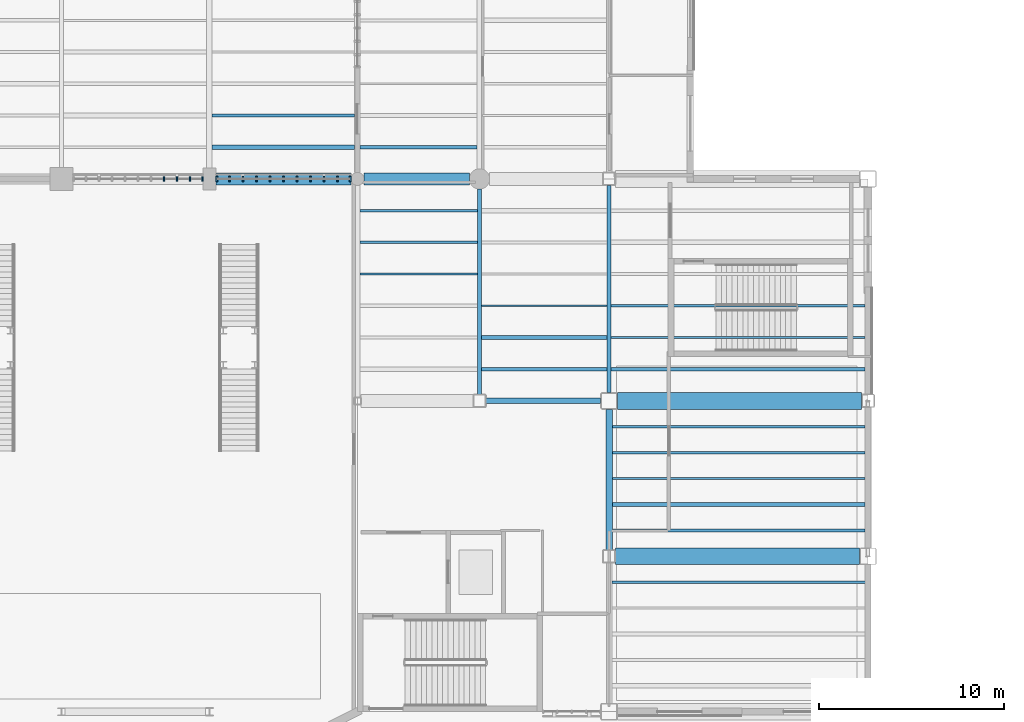
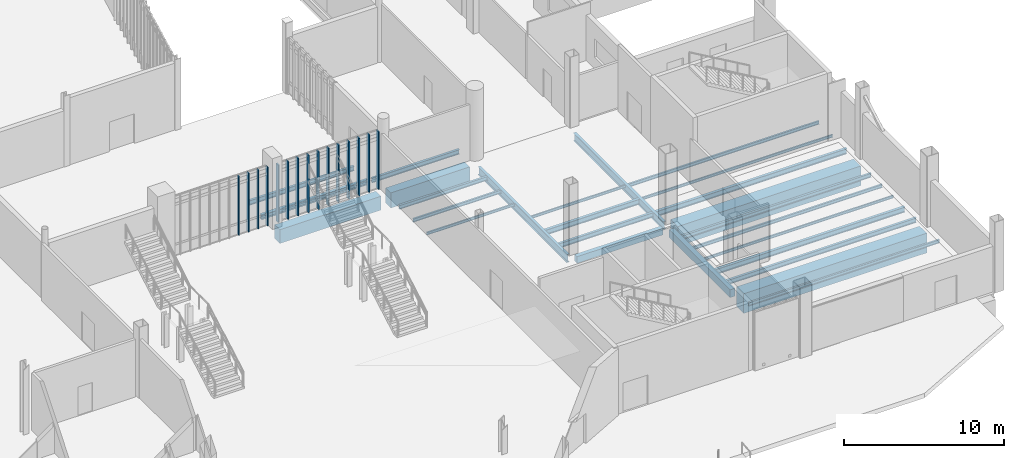
# One storey, part 22 of 111: 26 beams, 15 members, 2 elements without a shape of their own.
"""IFC4 building model written with IfcOpenShell, lengths in metres."""

from ifc_helpers import new_model, si_unit, direction, frame, origin, origin_2d, place, context, subcontext, project, spatial, rectangle, i_section, extrude, material, material_profile, profile_set, type_object, element, aggregate, save


model = new_model("IFC4")

# Units and contexts
model_context = context("Model", 3, precision=1e-05, world=origin(), true_north=direction((0.0, 1.0)))
body_context = subcontext(model_context, "Body", "Model", "MODEL_VIEW")
ifc_project = project(units=[si_unit("LENGTHUNIT", "METRE"), si_unit("AREAUNIT", "SQUARE_METRE"), si_unit("VOLUMEUNIT", "CUBIC_METRE"), si_unit("PLANEANGLEUNIT", "RADIAN"), si_unit("MASSUNIT", "GRAM", prefix="KILO")], contexts=[model_context])

# Site, building, storey
site_placement = place(None, origin())
site = spatial("IfcSite", under=ifc_project, at=site_placement, CompositionType="ELEMENT")
building_placement = place(site_placement, origin())
building = spatial("IfcBuilding", under=site, at=building_placement, Name="Larkvane Passage Sports Hall", CompositionType="ELEMENT")
storey_placement = place(building_placement, origin())
storey = spatial("IfcBuildingStorey", under=building, at=storey_placement, Name="L00", CompositionType="ELEMENT", Elevation=0.0)

# Beams
ifc_material_1 = material(Name="Concrete C40/50", Category="concrete")
ifc_material_profile_1 = material_profile(ifc_material_1, rectangle(XDim=0.300048828125, YDim=0.5, at=origin_2d()), Name="RC-BM-300x500")
ifc_profile_set_1 = profile_set([ifc_material_profile_1], Name="Concrete C40/50")
beam_type_1 = type_object("IfcBeamType", Name="BM-RC-300x500", PredefinedType="BEAM", material=ifc_profile_set_1)
beam_1_placement = place(storey_placement, frame((124.949951171875, 39.60009765625, -0.669921875), z_axis=(1.0, 0.0, 0.0), x_axis=(0.0, 1.0, 0.0)))
element("IfcBeam", 1, at=beam_1_placement, inside=storey, type_object=beam_type_1, Name="Girder BM5-X-L00-F-0027", PredefinedType="BEAM", context=body_context, shape_type="SweptSolid", body=[
    extrude(rectangle(XDim=0.300048828125, YDim=0.5, at=origin_2d()), origin(), (0.0, 0.0, 1.0), 6.199951171875),
])
ifc_material_profile_2 = material_profile(ifc_material_1, rectangle(XDim=0.35009765625, YDim=0.60009765625, at=origin_2d()), Name="RC-BM-350x600")
ifc_profile_set_2 = profile_set([ifc_material_profile_2], Name="Concrete C40/50")
beam_type_2 = type_object("IfcBeamType", Name="BM-RC-350x600", PredefinedType="BEAM", material=ifc_profile_set_2)
beam_2_placement = place(storey_placement, frame((131.60009765625, 31.550048828125, -0.719970703125), z_axis=(0.0, 1.0, 0.0), x_axis=(-1.0, 0.0, 0.0)))
element("IfcBeam", 2, at=beam_2_placement, inside=storey, type_object=beam_type_2, Name="Girder BM5-Y-L00-18-0132", PredefinedType="BEAM", context=body_context, shape_type="SweptSolid", body=[
    extrude(rectangle(XDim=0.35009765625, YDim=0.60009765625, at=origin_2d()), origin(), (0.0, 0.0, 1.0), 7.599853515625),
])
ifc_material_2 = material(Name="Concrete C50/60", Category="concrete")
ifc_material_profile_3 = material_profile(ifc_material_2, rectangle(XDim=0.64990234375, YDim=1.14990234375, at=origin_2d()), Name="RC-BM-650x1150")
ifc_profile_set_3 = profile_set([ifc_material_profile_3], Name="Concrete C50/60")
beam_type_3 = type_object("IfcBeamType", Name="BM-RC-650x1150", PredefinedType="BEAM", material=ifc_profile_set_3)
beam_3_placement = place(storey_placement, frame((118.35009765625, 51.60009765625, -0.9951171875), z_axis=(1.0, 0.0, 0.0), x_axis=(0.0, 1.0, 0.0)))
element("IfcBeam", 3, at=beam_3_placement, inside=storey, type_object=beam_type_3, Name="Girder BM5-X-L00-G-0038", PredefinedType="BEAM", context=body_context, shape_type="SweptSolid", body=[
    extrude(rectangle(XDim=0.64990234375, YDim=1.14990234375, at=origin_2d()), origin(), (0.0, 0.0, 1.0), 5.699951171875),
])
ifc_material_3 = material(Name="Steel S355JR", Category="steel")
ifc_material_profile_4 = material_profile(ifc_material_3, i_section(OverallWidth=0.199951171875, OverallDepth=0.60009765625, WebThickness=0.010986328125, FlangeThickness=0.01708984375, FilletRadius=0.01806640625, at=origin_2d()), Name="H-600x200x11x17")
ifc_profile_set_4 = profile_set([ifc_material_profile_4], Name="Steel S355JR")
beam_type_4 = type_object("IfcBeamType", Name="BM-STL-H600", PredefinedType="BEAM", material=ifc_profile_set_4)
beam_4_placement = place(storey_placement, frame((124.60009765625, 39.949951171875, -0.719970703125), z_axis=(0.0, 1.0, 0.0), x_axis=(-1.0, 0.0, 0.0)))
element("IfcBeam", 4, at=beam_4_placement, inside=storey, type_object=beam_type_4, Name="Girder BM5-Y-L00-17-0125", PredefinedType="BEAM", context=body_context, shape_type="SweptSolid", body=[
    extrude(i_section(OverallWidth=0.199951171875, OverallDepth=0.60009765625, WebThickness=0.010986328125, FlangeThickness=0.01708984375, FilletRadius=0.01806640625, at=origin_2d()), origin(), (0.0, 0.0, 1.0), 11.10009765625),
])
beam_5_placement = place(storey_placement, frame((131.60009765625, 40.050048828125, -0.719970703125), z_axis=(0.0, 1.0, 0.0), x_axis=(-1.0, 0.0, 0.0)))
element("IfcBeam", 5, at=beam_5_placement, inside=storey, type_object=beam_type_4, Name="Girder BM5-Y-L00-18-0133", PredefinedType="BEAM", context=body_context, shape_type="SweptSolid", body=[
    extrude(i_section(OverallWidth=0.199951171875, OverallDepth=0.60009765625, WebThickness=0.010986328125, FlangeThickness=0.01708984375, FilletRadius=0.01806640625, at=origin_2d()), origin(), (0.0, 0.0, 1.0), 11.199951171875),
])

# Curtain wall, members
ifc_material_4 = material(Name="Thermally broken aluminium and low-E glazing", Category="aluminium")
curtain_wall_type_1 = type_object("IfcCurtainWallType", Name="CW-UNIT-VEIL", PredefinedType="USERDEFINED", material=ifc_material_4)
curtain_wall_1_placement = place(storey_placement, origin())
curtain_wall_1 = element("IfcCurtainWall", 6, at=curtain_wall_1_placement, inside=storey, type_object=curtain_wall_type_1, Name="Curtain wall CW5-L00-017", ObjectType="UNITISED CURTAIN WALL", PredefinedType="USERDEFINED")
ifc_material_5 = material(Name="Anodised aluminium 6063-T6", Category="aluminium")
ifc_material_profile_5 = material_profile(ifc_material_5, rectangle(XDim=0.074951171875, YDim=0.22509765625, at=origin_2d()), Name="ALU-MUL-75x225")
ifc_profile_set_5 = profile_set([ifc_material_profile_5], Name="Anodised aluminium 6063-T6")
member_type_1 = type_object("IfcMemberType", Name="CW-MUL-75x225", PredefinedType="MULLION", material=ifc_profile_set_5)
member_1_placement = place(storey_placement, frame((107.544189453125, 51.60009765625, 0.0), z_axis=(0.0, 0.0, 1.0), x_axis=(1.0, 0.0, 0.0)))
member_1 = element("IfcMember", 7, at=member_1_placement, type_object=member_type_1, Name="CW-02 mullion 8", PredefinedType="MULLION", context=body_context, shape_type="SweptSolid", body=[
    extrude(rectangle(XDim=0.074951171875, YDim=0.22509765625, at=origin_2d()), origin(), (0.0, 0.0, 1.0), 4.47998046875),
])
member_2_placement = place(storey_placement, frame((108.247314453125, 51.60009765625, 0.0), z_axis=(0.0, 0.0, 1.0), x_axis=(1.0, 0.0, 0.0)))
member_2 = element("IfcMember", 8, at=member_2_placement, type_object=member_type_1, Name="CW-02 mullion 9", PredefinedType="MULLION", context=body_context, shape_type="SweptSolid", body=[
    extrude(rectangle(XDim=0.074951171875, YDim=0.22509765625, at=origin_2d()), origin(), (0.0, 0.0, 1.0), 4.47998046875),
])
member_3_placement = place(storey_placement, frame((108.95068359375, 51.60009765625, 0.0), z_axis=(0.0, 0.0, 1.0), x_axis=(1.0, 0.0, 0.0)))
member_3 = element("IfcMember", 9, at=member_3_placement, type_object=member_type_1, Name="CW-02 mullion 10", PredefinedType="MULLION", context=body_context, shape_type="SweptSolid", body=[
    extrude(rectangle(XDim=0.074951171875, YDim=0.22509765625, at=origin_2d()), origin(), (0.0, 0.0, 1.0), 4.47998046875),
])
member_4_placement = place(storey_placement, frame((109.616455078125, 51.60009765625, 0.0), z_axis=(0.0, 0.0, 1.0), x_axis=(1.0, 0.0, 0.0)))
member_4 = element("IfcMember", 10, at=member_4_placement, type_object=member_type_1, Name="CW-02 mullion 11", PredefinedType="MULLION", context=body_context, shape_type="SweptSolid", body=[
    extrude(rectangle(XDim=0.074951171875, YDim=0.22509765625, at=origin_2d()), origin(), (0.0, 0.0, 1.0), 4.47998046875),
])
aggregate(curtain_wall_1, [member_1, member_2, member_3, member_4])

curtain_wall_type_2 = type_object("IfcCurtainWallType", Name="CW-STICK-FOYER", PredefinedType="USERDEFINED", material=ifc_material_4)
curtain_wall_2_placement = place(storey_placement, origin())
curtain_wall_2 = element("IfcCurtainWall", 11, at=curtain_wall_2_placement, inside=storey, type_object=curtain_wall_type_2, Name="Curtain wall CW5-L00-018", ObjectType="STICK CURTAIN WALL", PredefinedType="USERDEFINED")
ifc_material_profile_6 = material_profile(ifc_material_5, rectangle(XDim=0.090087890625, YDim=0.280029296875, at=origin_2d()), Name="ALU-MUL-90x280")
ifc_profile_set_6 = profile_set([ifc_material_profile_6], Name="Anodised aluminium 6063-T6")
member_type_2 = type_object("IfcMemberType", Name="CW-MUL-90x280", PredefinedType="MULLION", material=ifc_profile_set_6)
member_5_placement = place(storey_placement, frame((110.39111328125, 51.60009765625, 0.0), z_axis=(0.0, 0.0, 1.0), x_axis=(1.0, 0.0, 0.0)))
member_5 = element("IfcMember", 12, at=member_5_placement, type_object=member_type_2, Name="CW-03 mullion 1", PredefinedType="MULLION", context=body_context, shape_type="SweptSolid", body=[
    extrude(rectangle(XDim=0.090087890625, YDim=0.280029296875, at=origin_2d()), origin(), (0.0, 0.0, 1.0), 4.385986328125),
])
member_6_placement = place(storey_placement, frame((111.076904296875, 51.60009765625, 0.0), z_axis=(0.0, 0.0, 1.0), x_axis=(1.0, 0.0, 0.0)))
member_6 = element("IfcMember", 13, at=member_6_placement, type_object=member_type_2, Name="CW-03 mullion 2", PredefinedType="MULLION", context=body_context, shape_type="SweptSolid", body=[
    extrude(rectangle(XDim=0.090087890625, YDim=0.280029296875, at=origin_2d()), origin(), (0.0, 0.0, 1.0), 4.385986328125),
])
member_7_placement = place(storey_placement, frame((111.8076171875, 51.60009765625, 0.0), z_axis=(0.0, 0.0, 1.0), x_axis=(1.0, 0.0, 0.0)))
member_7 = element("IfcMember", 14, at=member_7_placement, type_object=member_type_2, Name="CW-03 mullion 3", PredefinedType="MULLION", context=body_context, shape_type="SweptSolid", body=[
    extrude(rectangle(XDim=0.090087890625, YDim=0.280029296875, at=origin_2d()), origin(), (0.0, 0.0, 1.0), 4.385986328125),
])
member_8_placement = place(storey_placement, frame((112.538330078125, 51.60009765625, 0.0), z_axis=(0.0, 0.0, 1.0), x_axis=(1.0, 0.0, 0.0)))
member_8 = element("IfcMember", 15, at=member_8_placement, type_object=member_type_2, Name="CW-03 mullion 4", PredefinedType="MULLION", context=body_context, shape_type="SweptSolid", body=[
    extrude(rectangle(XDim=0.090087890625, YDim=0.280029296875, at=origin_2d()), origin(), (0.0, 0.0, 1.0), 4.385986328125),
])
member_9_placement = place(storey_placement, frame((113.269287109375, 51.60009765625, 0.0), z_axis=(0.0, 0.0, 1.0), x_axis=(1.0, 0.0, 0.0)))
member_9 = element("IfcMember", 16, at=member_9_placement, type_object=member_type_2, Name="CW-03 mullion 5", PredefinedType="MULLION", context=body_context, shape_type="SweptSolid", body=[
    extrude(rectangle(XDim=0.090087890625, YDim=0.280029296875, at=origin_2d()), origin(), (0.0, 0.0, 1.0), 4.385986328125),
])
member_10_placement = place(storey_placement, frame((114.0, 51.60009765625, 0.0), z_axis=(0.0, 0.0, 1.0), x_axis=(1.0, 0.0, 0.0)))
member_10 = element("IfcMember", 17, at=member_10_placement, type_object=member_type_2, Name="CW-03 mullion 6", PredefinedType="MULLION", context=body_context, shape_type="SweptSolid", body=[
    extrude(rectangle(XDim=0.090087890625, YDim=0.280029296875, at=origin_2d()), origin(), (0.0, 0.0, 1.0), 4.385986328125),
])
member_11_placement = place(storey_placement, frame((114.730712890625, 51.60009765625, 0.0), z_axis=(0.0, 0.0, 1.0), x_axis=(1.0, 0.0, 0.0)))
member_11 = element("IfcMember", 18, at=member_11_placement, type_object=member_type_2, Name="CW-03 mullion 7", PredefinedType="MULLION", context=body_context, shape_type="SweptSolid", body=[
    extrude(rectangle(XDim=0.090087890625, YDim=0.280029296875, at=origin_2d()), origin(), (0.0, 0.0, 1.0), 4.385986328125),
])
member_12_placement = place(storey_placement, frame((115.461669921875, 51.60009765625, 0.0), z_axis=(0.0, 0.0, 1.0), x_axis=(1.0, 0.0, 0.0)))
member_12 = element("IfcMember", 19, at=member_12_placement, type_object=member_type_2, Name="CW-03 mullion 8", PredefinedType="MULLION", context=body_context, shape_type="SweptSolid", body=[
    extrude(rectangle(XDim=0.090087890625, YDim=0.280029296875, at=origin_2d()), origin(), (0.0, 0.0, 1.0), 4.385986328125),
])
member_13_placement = place(storey_placement, frame((116.1923828125, 51.60009765625, 0.0), z_axis=(0.0, 0.0, 1.0), x_axis=(1.0, 0.0, 0.0)))
member_13 = element("IfcMember", 20, at=member_13_placement, type_object=member_type_2, Name="CW-03 mullion 9", PredefinedType="MULLION", context=body_context, shape_type="SweptSolid", body=[
    extrude(rectangle(XDim=0.090087890625, YDim=0.280029296875, at=origin_2d()), origin(), (0.0, 0.0, 1.0), 4.385986328125),
])
member_14_placement = place(storey_placement, frame((116.923095703125, 51.60009765625, 0.0), z_axis=(0.0, 0.0, 1.0), x_axis=(1.0, 0.0, 0.0)))
member_14 = element("IfcMember", 21, at=member_14_placement, type_object=member_type_2, Name="CW-03 mullion 10", PredefinedType="MULLION", context=body_context, shape_type="SweptSolid", body=[
    extrude(rectangle(XDim=0.090087890625, YDim=0.280029296875, at=origin_2d()), origin(), (0.0, 0.0, 1.0), 4.385986328125),
])
member_15_placement = place(storey_placement, frame((117.60888671875, 51.60009765625, 0.0), z_axis=(0.0, 0.0, 1.0), x_axis=(1.0, 0.0, 0.0)))
member_15 = element("IfcMember", 22, at=member_15_placement, type_object=member_type_2, Name="CW-03 mullion 11", PredefinedType="MULLION", context=body_context, shape_type="SweptSolid", body=[
    extrude(rectangle(XDim=0.090087890625, YDim=0.280029296875, at=origin_2d()), origin(), (0.0, 0.0, 1.0), 4.385986328125),
])
aggregate(curtain_wall_2, [member_5, member_6, member_7, member_8, member_9, member_10, member_11, member_12, member_13, member_14, member_15])

# Beams
ifc_material_profile_7 = material_profile(ifc_material_3, i_section(OverallWidth=0.10009765625, OverallDepth=0.199951171875, WebThickness=0.005615234375, FlangeThickness=0.008056640625, FilletRadius=0.008056640625, at=origin_2d()), Name="H-200x100x5.5x8")
ifc_profile_set_7 = profile_set([ifc_material_profile_7], Name="Steel S355JR")
beam_type_5 = type_object("IfcBeamType", Name="JST-STL-H200", PredefinedType="JOIST", material=ifc_profile_set_7)
beam_6_placement = place(storey_placement, frame((118.14990234375, 46.45703125, -0.52001953125), z_axis=(1.0, 0.0, 0.0), x_axis=(0.0, 1.0, 0.0)))
element("IfcBeam", 23, at=beam_6_placement, inside=storey, type_object=beam_type_5, Name="Composite joist L00 16/F-4", PredefinedType="JOIST", context=body_context, shape_type="SweptSolid", body=[
    extrude(i_section(OverallWidth=0.10009765625, OverallDepth=0.199951171875, WebThickness=0.005615234375, FlangeThickness=0.008056640625, FilletRadius=0.008056640625, at=origin_2d()), origin(), (0.0, 0.0, 1.0), 6.35009765625),
])
beam_7_placement = place(storey_placement, frame((124.699951171875, 44.742919921875, -0.52001953125), z_axis=(1.0, 0.0, 0.0), x_axis=(0.0, 1.0, 0.0)))
element("IfcBeam", 24, at=beam_7_placement, inside=storey, type_object=beam_type_5, Name="Composite joist L00 17/F-3", PredefinedType="JOIST", context=body_context, shape_type="SweptSolid", body=[
    extrude(i_section(OverallWidth=0.10009765625, OverallDepth=0.199951171875, WebThickness=0.005615234375, FlangeThickness=0.008056640625, FilletRadius=0.008056640625, at=origin_2d()), origin(), (0.0, 0.0, 1.0), 6.800048828125),
])
beam_8_placement = place(storey_placement, frame((131.77490234375, 35.39990234375, -0.52001953125), z_axis=(1.0, 0.0, 0.0), x_axis=(0.0, 1.0, 0.0)))
element("IfcBeam", 25, at=beam_8_placement, inside=storey, type_object=beam_type_5, Name="Composite joist L00 18/E-3", PredefinedType="JOIST", context=body_context, shape_type="SweptSolid", body=[
    extrude(i_section(OverallWidth=0.10009765625, OverallDepth=0.199951171875, WebThickness=0.005615234375, FlangeThickness=0.008056640625, FilletRadius=0.008056640625, at=origin_2d()), origin(), (0.0, 0.0, 1.0), 13.650146484375),
])
beam_9_placement = place(storey_placement, frame((131.699951171875, 43.028564453125, -0.52001953125), z_axis=(1.0, 0.0, 0.0), x_axis=(0.0, 1.0, 0.0)))
element("IfcBeam", 26, at=beam_9_placement, inside=storey, type_object=beam_type_5, Name="Composite joist L00 18/F-2", PredefinedType="JOIST", context=body_context, shape_type="SweptSolid", body=[
    extrude(i_section(OverallWidth=0.10009765625, OverallDepth=0.199951171875, WebThickness=0.005615234375, FlangeThickness=0.008056640625, FilletRadius=0.008056640625, at=origin_2d()), origin(), (0.0, 0.0, 1.0), 13.75),
])
ifc_material_profile_8 = material_profile(ifc_material_3, i_section(OverallWidth=0.125, OverallDepth=0.25, WebThickness=0.006103515625, FlangeThickness=0.009033203125, FilletRadius=0.008056640625, at=origin_2d()), Name="H-250x125x6x9")
ifc_profile_set_8 = profile_set([ifc_material_profile_8], Name="Steel S355JR")
beam_type_6 = type_object("IfcBeamType", Name="JST-STL-H250", PredefinedType="JOIST", material=ifc_profile_set_8)
beam_10_placement = place(storey_placement, frame((118.14990234375, 48.17138671875, -0.544921875), z_axis=(1.0, 0.0, 0.0), x_axis=(0.0, 1.0, 0.0)))
element("IfcBeam", 27, at=beam_10_placement, inside=storey, type_object=beam_type_6, Name="Composite joist L00 16/F-5", PredefinedType="JOIST", context=body_context, shape_type="SweptSolid", body=[
    extrude(i_section(OverallWidth=0.125, OverallDepth=0.25, WebThickness=0.006103515625, FlangeThickness=0.009033203125, FilletRadius=0.008056640625, at=origin_2d()), origin(), (0.0, 0.0, 1.0), 6.35009765625),
])
beam_11_placement = place(storey_placement, frame((131.75, 29.800048828125, -0.544921875), z_axis=(1.0, 0.0, 0.0), x_axis=(0.0, 1.0, 0.0)))
element("IfcBeam", 28, at=beam_11_placement, inside=storey, type_object=beam_type_6, Name="Composite joist L00 18/D-5", PredefinedType="JOIST", context=body_context, shape_type="SweptSolid", body=[
    extrude(i_section(OverallWidth=0.125, OverallDepth=0.25, WebThickness=0.006103515625, FlangeThickness=0.009033203125, FilletRadius=0.008056640625, at=origin_2d()), origin(), (0.0, 0.0, 1.0), 13.75),
])
beam_12_placement = place(storey_placement, frame((131.77490234375, 36.800048828125, -0.544921875), z_axis=(1.0, 0.0, 0.0), x_axis=(0.0, 1.0, 0.0)))
element("IfcBeam", 29, at=beam_12_placement, inside=storey, type_object=beam_type_6, Name="Composite joist L00 18/E-4", PredefinedType="JOIST", context=body_context, shape_type="SweptSolid", body=[
    extrude(i_section(OverallWidth=0.125, OverallDepth=0.25, WebThickness=0.006103515625, FlangeThickness=0.009033203125, FilletRadius=0.008056640625, at=origin_2d()), origin(), (0.0, 0.0, 1.0), 13.650146484375),
])
beam_13_placement = place(storey_placement, frame((131.699951171875, 44.742919921875, -0.544921875), z_axis=(1.0, 0.0, 0.0), x_axis=(0.0, 1.0, 0.0)))
element("IfcBeam", 30, at=beam_13_placement, inside=storey, type_object=beam_type_6, Name="Composite joist L00 18/F-3", PredefinedType="JOIST", context=body_context, shape_type="SweptSolid", body=[
    extrude(i_section(OverallWidth=0.125, OverallDepth=0.25, WebThickness=0.006103515625, FlangeThickness=0.009033203125, FilletRadius=0.008056640625, at=origin_2d()), origin(), (0.0, 0.0, 1.0), 13.75),
])
ifc_material_profile_9 = material_profile(ifc_material_3, i_section(OverallWidth=0.14990234375, OverallDepth=0.300048828125, WebThickness=0.006591796875, FlangeThickness=0.009033203125, FilletRadius=0.012939453125, at=origin_2d()), Name="H-300x150x6.5x9")
ifc_profile_set_9 = profile_set([ifc_material_profile_9], Name="Steel S355JR")
beam_type_7 = type_object("IfcBeamType", Name="JST-STL-H300", PredefinedType="JOIST", material=ifc_profile_set_9)
beam_14_placement = place(storey_placement, frame((118.14990234375, 49.8857421875, -0.570068359375), z_axis=(1.0, 0.0, 0.0), x_axis=(0.0, 1.0, 0.0)))
element("IfcBeam", 31, at=beam_14_placement, inside=storey, type_object=beam_type_7, Name="Composite joist L00 16/F-6", PredefinedType="JOIST", context=body_context, shape_type="SweptSolid", body=[
    extrude(i_section(OverallWidth=0.14990234375, OverallDepth=0.300048828125, WebThickness=0.006591796875, FlangeThickness=0.009033203125, FilletRadius=0.012939453125, at=origin_2d()), origin(), (0.0, 0.0, 1.0), 6.35009765625),
])
beam_15_placement = place(storey_placement, frame((131.77490234375, 38.199951171875, -0.570068359375), z_axis=(1.0, 0.0, 0.0), x_axis=(0.0, 1.0, 0.0)))
element("IfcBeam", 32, at=beam_15_placement, inside=storey, type_object=beam_type_7, Name="Composite joist L00 18/E-5", PredefinedType="JOIST", context=body_context, shape_type="SweptSolid", body=[
    extrude(i_section(OverallWidth=0.14990234375, OverallDepth=0.300048828125, WebThickness=0.006591796875, FlangeThickness=0.009033203125, FilletRadius=0.012939453125, at=origin_2d()), origin(), (0.0, 0.0, 1.0), 13.650146484375),
])
ifc_material_profile_10 = material_profile(ifc_material_3, i_section(OverallWidth=0.25, OverallDepth=0.340087890625, WebThickness=0.009033203125, FlangeThickness=0.013916015625, FilletRadius=0.012939453125, at=origin_2d()), Name="H-340x250x9x14")
ifc_profile_set_10 = profile_set([ifc_material_profile_10], Name="Steel S355JR")
beam_type_8 = type_object("IfcBeamType", Name="JST-STL-H340", PredefinedType="JOIST", material=ifc_profile_set_10)
beam_16_placement = place(storey_placement, frame((110.14990234375, 53.314208984375, -0.590087890625), z_axis=(1.0, 0.0, 0.0), x_axis=(0.0, 1.0, 0.0)))
element("IfcBeam", 33, at=beam_16_placement, inside=storey, type_object=beam_type_8, Name="Composite joist L00 15/G-1", PredefinedType="JOIST", context=body_context, shape_type="SweptSolid", body=[
    extrude(i_section(OverallWidth=0.25, OverallDepth=0.340087890625, WebThickness=0.009033203125, FlangeThickness=0.013916015625, FilletRadius=0.012939453125, at=origin_2d()), origin(), (0.0, 0.0, 1.0), 7.7001953125),
])
ifc_material_profile_11 = material_profile(ifc_material_3, i_section(OverallWidth=0.175048828125, OverallDepth=0.35009765625, WebThickness=0.007080078125, FlangeThickness=0.010986328125, FilletRadius=0.012939453125, at=origin_2d()), Name="H-350x175x7x11")
ifc_profile_set_11 = profile_set([ifc_material_profile_11], Name="Steel S355JR")
beam_type_9 = type_object("IfcBeamType", Name="JST-STL-H350", PredefinedType="JOIST", material=ifc_profile_set_11)
beam_17_placement = place(storey_placement, frame((110.14990234375, 55.028564453125, -0.594970703125), z_axis=(1.0, 0.0, 0.0), x_axis=(0.0, 1.0, 0.0)))
element("IfcBeam", 34, at=beam_17_placement, inside=storey, type_object=beam_type_9, Name="Composite joist L00 15/G-2", PredefinedType="JOIST", context=body_context, shape_type="SweptSolid", body=[
    extrude(i_section(OverallWidth=0.175048828125, OverallDepth=0.35009765625, WebThickness=0.007080078125, FlangeThickness=0.010986328125, FilletRadius=0.012939453125, at=origin_2d()), origin(), (0.0, 0.0, 1.0), 7.7001953125),
])
beam_18_placement = place(storey_placement, frame((118.14990234375, 53.314208984375, -0.594970703125), z_axis=(1.0, 0.0, 0.0), x_axis=(0.0, 1.0, 0.0)))
element("IfcBeam", 35, at=beam_18_placement, inside=storey, type_object=beam_type_9, Name="Composite joist L00 16/G-1", PredefinedType="JOIST", context=body_context, shape_type="SweptSolid", body=[
    extrude(i_section(OverallWidth=0.175048828125, OverallDepth=0.35009765625, WebThickness=0.007080078125, FlangeThickness=0.010986328125, FilletRadius=0.012939453125, at=origin_2d()), origin(), (0.0, 0.0, 1.0), 6.300048828125),
])
beam_19_placement = place(storey_placement, frame((124.699951171875, 41.314208984375, -0.594970703125), z_axis=(1.0, 0.0, 0.0), x_axis=(0.0, 1.0, 0.0)))
element("IfcBeam", 36, at=beam_19_placement, inside=storey, type_object=beam_type_9, Name="Composite joist L00 17/F-1", PredefinedType="JOIST", context=body_context, shape_type="SweptSolid", body=[
    extrude(i_section(OverallWidth=0.175048828125, OverallDepth=0.35009765625, WebThickness=0.007080078125, FlangeThickness=0.010986328125, FilletRadius=0.012939453125, at=origin_2d()), origin(), (0.0, 0.0, 1.0), 6.800048828125),
])
beam_20_placement = place(storey_placement, frame((131.77490234375, 32.60009765625, -0.594970703125), z_axis=(1.0, 0.0, 0.0), x_axis=(0.0, 1.0, 0.0)))
element("IfcBeam", 37, at=beam_20_placement, inside=storey, type_object=beam_type_9, Name="Composite joist L00 18/E-1", PredefinedType="JOIST", context=body_context, shape_type="SweptSolid", body=[
    extrude(i_section(OverallWidth=0.175048828125, OverallDepth=0.35009765625, WebThickness=0.007080078125, FlangeThickness=0.010986328125, FilletRadius=0.012939453125, at=origin_2d()), origin(), (0.0, 0.0, 1.0), 13.650146484375),
])
ifc_material_profile_12 = material_profile(ifc_material_3, i_section(OverallWidth=0.199951171875, OverallDepth=0.39990234375, WebThickness=0.008056640625, FlangeThickness=0.012939453125, FilletRadius=0.012939453125, at=origin_2d()), Name="H-400x200x8x13")
ifc_profile_set_12 = profile_set([ifc_material_profile_12], Name="Steel S355JR")
beam_type_10 = type_object("IfcBeamType", Name="JST-STL-H400", PredefinedType="JOIST", material=ifc_profile_set_12)
beam_21_placement = place(storey_placement, frame((124.699951171875, 43.028564453125, -0.6201171875), z_axis=(1.0, 0.0, 0.0), x_axis=(0.0, 1.0, 0.0)))
element("IfcBeam", 38, at=beam_21_placement, inside=storey, type_object=beam_type_10, Name="Composite joist L00 17/F-2", PredefinedType="JOIST", context=body_context, shape_type="SweptSolid", body=[
    extrude(i_section(OverallWidth=0.199951171875, OverallDepth=0.39990234375, WebThickness=0.008056640625, FlangeThickness=0.012939453125, FilletRadius=0.012939453125, at=origin_2d()), origin(), (0.0, 0.0, 1.0), 6.800048828125),
])
beam_22_placement = place(storey_placement, frame((131.77490234375, 34.0, -0.6201171875), z_axis=(1.0, 0.0, 0.0), x_axis=(0.0, 1.0, 0.0)))
element("IfcBeam", 39, at=beam_22_placement, inside=storey, type_object=beam_type_10, Name="Composite joist L00 18/E-2", PredefinedType="JOIST", context=body_context, shape_type="SweptSolid", body=[
    extrude(i_section(OverallWidth=0.199951171875, OverallDepth=0.39990234375, WebThickness=0.008056640625, FlangeThickness=0.012939453125, FilletRadius=0.012939453125, at=origin_2d()), origin(), (0.0, 0.0, 1.0), 13.650146484375),
])
beam_23_placement = place(storey_placement, frame((131.699951171875, 41.314208984375, -0.6201171875), z_axis=(1.0, 0.0, 0.0), x_axis=(0.0, 1.0, 0.0)))
element("IfcBeam", 40, at=beam_23_placement, inside=storey, type_object=beam_type_10, Name="Composite joist L00 18/F-1", PredefinedType="JOIST", context=body_context, shape_type="SweptSolid", body=[
    extrude(i_section(OverallWidth=0.199951171875, OverallDepth=0.39990234375, WebThickness=0.008056640625, FlangeThickness=0.012939453125, FilletRadius=0.012939453125, at=origin_2d()), origin(), (0.0, 0.0, 1.0), 13.75),
])
ifc_material_profile_13 = material_profile(ifc_material_2, rectangle(XDim=0.89990234375, YDim=1.5, at=origin_2d()), Name="PT-GIR-900x1500")
ifc_profile_set_13 = profile_set([ifc_material_profile_13], Name="Concrete C50/60")
beam_type_11 = type_object("IfcBeamType", Name="PTG-900x1500", PredefinedType="BEAM", material=ifc_profile_set_13)
for number, where, z_axis, x_axis, name in (
    (41, (131.949951171875, 31.199951171875, -1.169921875), (1.0, 0.0, 0.0), (0.0, 1.0, 0.0), "Post-tensioned transfer girder BM5-X-L00-E-0024"),
    (42, (132.050048828125, 39.60009765625, -1.169921875), (1.0, 0.0, 0.0), (0.0, 1.0, 0.0), "Post-tensioned transfer girder BM5-X-L00-F-0028"),
):
    element("IfcBeam", number, at=place(storey_placement, frame(where, z_axis=z_axis, x_axis=x_axis)), inside=storey, type_object=beam_type_11, Name=name, PredefinedType="BEAM", context=body_context, shape_type="SweptSolid", body=[
        extrude(rectangle(XDim=0.89990234375, YDim=1.5, at=origin_2d()), origin(), (0.0, 0.0, 1.0), 13.199951171875),
    ])
ifc_material_6 = material(Name="Precast concrete C45/55", Category="concrete")
ifc_material_profile_14 = material_profile(ifc_material_6, rectangle(XDim=0.64990234375, YDim=1.050048828125, at=origin_2d()), Name="RC-TB-650x1050")
ifc_profile_set_14 = profile_set([ifc_material_profile_14], Name="Precast concrete C45/55")
beam_type_12 = type_object("IfcBeamType", Name="TB-RC-650x1050", PredefinedType="T_BEAM", material=ifc_profile_set_14)
beam_24_placement = place(storey_placement, frame((110.35009765625, 51.60009765625, -0.945068359375), z_axis=(1.0, 0.0, 0.0), x_axis=(0.0, 1.0, 0.0)))
element("IfcBeam", 43, at=beam_24_placement, inside=storey, type_object=beam_type_12, Name="Girder BM5-X-L00-G-0037", PredefinedType="T_BEAM", context=body_context, shape_type="SweptSolid", body=[
    extrude(rectangle(XDim=0.64990234375, YDim=1.050048828125, at=origin_2d()), origin(), (0.0, 0.0, 1.0), 7.2998046875),
])

save(model, "model.ifc")
